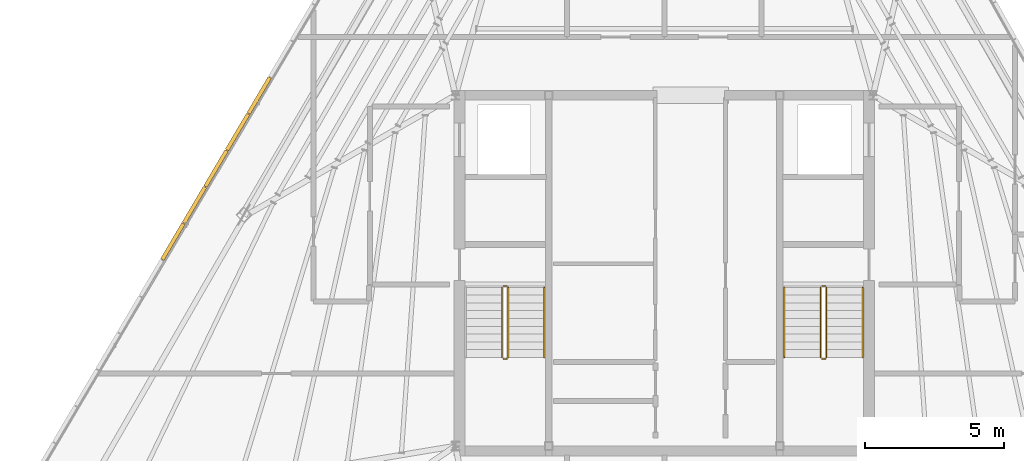
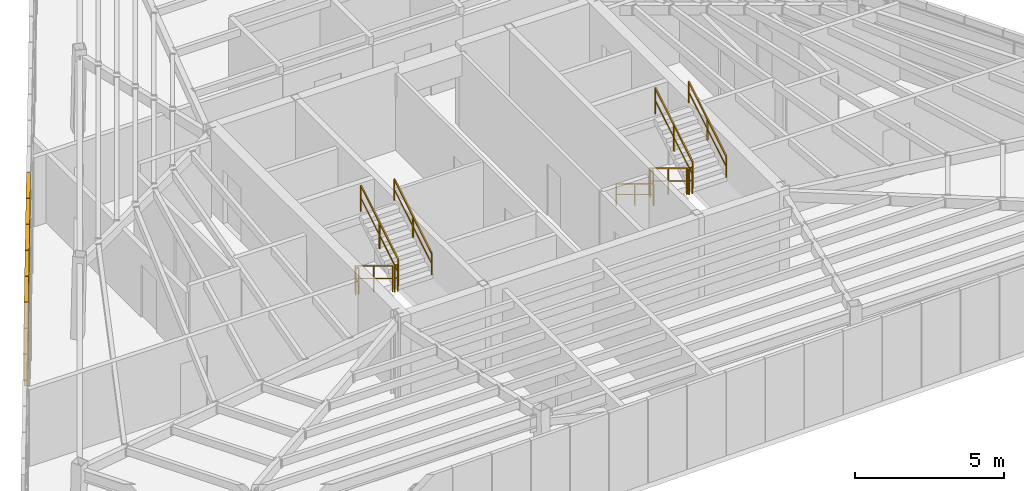
# One storey, part 46 of 47: 11 railings, 5 shading devices.
"""IFC4 building model written with IfcOpenShell, lengths in metres."""

from ifc_helpers import new_model, si_unit, direction, frame, origin, origin_2d, place, context, subcontext, project, spatial, rectangle, extrude, source, transform, mapped, material, layer, layer_set, type_object, type_shapes, element, save


model = new_model("IFC4")

# Units and contexts
model_context = context("Model", 3, precision=1e-05, world=origin(), true_north=direction((0.0, 1.0)))
body_context = subcontext(model_context, "Body", "Model", "MODEL_VIEW")
ifc_project = project(units=[si_unit("LENGTHUNIT", "METRE"), si_unit("AREAUNIT", "SQUARE_METRE"), si_unit("VOLUMEUNIT", "CUBIC_METRE"), si_unit("PLANEANGLEUNIT", "RADIAN"), si_unit("MASSUNIT", "GRAM", prefix="KILO")], contexts=[model_context])

# Site, building, storey
site_placement = place(None, origin())
site = spatial("IfcSite", under=ifc_project, at=site_placement, CompositionType="ELEMENT")
building_placement = place(site_placement, origin())
building = spatial("IfcBuilding", under=site, at=building_placement, Name="Caelisora Broadcast Tower", CompositionType="ELEMENT")
storey_placement = place(building_placement, frame((0.0, 0.0, 293.199951171875)))
storey = spatial("IfcBuildingStorey", under=building, at=storey_placement, Name="L77", CompositionType="ELEMENT", Elevation=293.199951171875)

# Railings
ifc_material_1 = material(Name="Galvanised Steel Safety Guardrail", Category="steel")
ifc_layer_1 = layer(ifc_material_1, 0.048095703125, Name="Galvanised Steel Safety Guardrail")
ifc_layer_set_1 = layer_set([ifc_layer_1], Name="Galvanised Steel Safety Guardrail")
railing_type_1 = type_object("IfcRailingType", Name="GR-1", PredefinedType="GUARDRAIL", material=ifc_layer_set_1)
railing_1_placement = place(storey_placement, frame((32.169921875, 23.10009765625, 0.170166015625)))
element("IfcRailing", 1, at=railing_1_placement, inside=storey, type_object=railing_type_1, Name="L77 ST-1 stair guard 1", PredefinedType="GUARDRAIL", context=body_context, shape_type="SweptSolid", body=[
    extrude(rectangle(XDim=0.048095703125, YDim=0.048095703125, at=origin_2d()), frame((0.0, 0.0, 1.076171875), z_axis=(0.0, -0.854821627497, 0.518921945155), x_axis=(1.0, 0.0, 0.0)), (0.0, 0.0, 1.0), 2.947998046875),
    extrude(rectangle(XDim=0.03125, YDim=0.03125, at=origin_2d()), frame((0.0, 0.0, 0.550048828125), z_axis=(0.0, -0.854821627497, 0.518921945155), x_axis=(1.0, 0.0, 0.0)), (0.0, 0.0, 1.0), 2.947998046875),
    extrude(rectangle(XDim=0.0419921875, YDim=0.0419921875, at=origin_2d()), origin(), (0.0, 0.0, 1.0), 1.052001953125),
    extrude(rectangle(XDim=0.0419921875, YDim=0.0419921875, at=origin_2d()), frame((0.0, -1.260009765625, 0.764892578125)), (0.0, 0.0, 1.0), 1.052001953125),
    extrude(rectangle(XDim=0.0419921875, YDim=0.0419921875, at=origin_2d()), frame((0.0, -2.52001953125, 1.52978515625)), (0.0, 0.0, 1.0), 1.052001953125),
])
railing_2_placement = place(storey_placement, frame((32.219970703125, 20.530029296875, 1.699951171875)))
element("IfcRailing", 2, at=railing_2_placement, inside=storey, type_object=railing_type_1, Name="L77 ST-1 stair guard 2", PredefinedType="GUARDRAIL", context=body_context, shape_type="SweptSolid", body=[
    extrude(rectangle(XDim=0.048095703125, YDim=0.048095703125, at=origin_2d()), frame((0.0, 0.0, 1.076171875), z_axis=(1.0, 0.0, 0.0), x_axis=(0.0, 1.0, 0.0)), (0.0, 0.0, 1.0), 0.1201171875),
    extrude(rectangle(XDim=0.03125, YDim=0.03125, at=origin_2d()), frame((0.0, 0.0, 0.550048828125), z_axis=(1.0, 0.0, 0.0), x_axis=(0.0, 1.0, 0.0)), (0.0, 0.0, 1.0), 0.1201171875),
    extrude(rectangle(XDim=0.0419921875, YDim=0.0419921875, at=origin_2d()), origin(), (0.0, 0.0, 1.0), 1.052001953125),
    extrude(rectangle(XDim=0.0419921875, YDim=0.0419921875, at=origin_2d()), frame((0.1201171875, 0.0, 0.0)), (0.0, 0.0, 1.0), 1.052001953125),
])
railing_3_placement = place(storey_placement, frame((32.389892578125, 20.580078125, 1.8701171875)))
element("IfcRailing", 3, at=railing_3_placement, inside=storey, type_object=railing_type_1, Name="L77 ST-1 stair guard 3", PredefinedType="GUARDRAIL", context=body_context, shape_type="SweptSolid", body=[
    extrude(rectangle(XDim=0.048095703125, YDim=0.048095703125, at=origin_2d()), frame((0.0, 0.0, 1.076171875), z_axis=(0.0, 0.85478489116, 0.518982456201), x_axis=(-1.0, 0.0, 0.0)), (0.0, 0.0, 1.0), 2.9482421875),
    extrude(rectangle(XDim=0.03125, YDim=0.03125, at=origin_2d()), frame((0.0, 0.0, 0.550048828125), z_axis=(0.0, 0.85478489116, 0.518982456201), x_axis=(-1.0, 0.0, 0.0)), (0.0, 0.0, 1.0), 2.9482421875),
    extrude(rectangle(XDim=0.0419921875, YDim=0.0419921875, at=origin_2d()), origin(), (0.0, 0.0, 1.0), 1.052001953125),
    extrude(rectangle(XDim=0.0419921875, YDim=0.0419921875, at=origin_2d()), frame((0.0, 1.260009765625, 0.76513671875)), (0.0, 0.0, 1.0), 1.052001953125),
    extrude(rectangle(XDim=0.0419921875, YDim=0.0419921875, at=origin_2d()), frame((0.0, 2.52001953125, 1.530029296875)), (0.0, 0.0, 1.0), 1.052001953125),
])
railing_4_placement = place(storey_placement, frame((32.219970703125, 23.14990234375, 0.0)))
element("IfcRailing", 4, at=railing_4_placement, inside=storey, type_object=railing_type_1, Name="L77 ST-1 stair guard 4", PredefinedType="GUARDRAIL", context=body_context, shape_type="SweptSolid", body=[
    extrude(rectangle(XDim=0.048095703125, YDim=0.048095703125, at=origin_2d()), frame((0.0, 0.0, 1.076171875), z_axis=(1.0, 0.0, 0.0), x_axis=(0.0, 1.0, 0.0)), (0.0, 0.0, 1.0), 0.1201171875),
    extrude(rectangle(XDim=0.03125, YDim=0.03125, at=origin_2d()), frame((0.0, 0.0, 0.550048828125), z_axis=(1.0, 0.0, 0.0), x_axis=(0.0, 1.0, 0.0)), (0.0, 0.0, 1.0), 0.1201171875),
    extrude(rectangle(XDim=0.0419921875, YDim=0.0419921875, at=origin_2d()), origin(), (0.0, 0.0, 1.0), 1.052001953125),
    extrude(rectangle(XDim=0.0419921875, YDim=0.0419921875, at=origin_2d()), frame((0.1201171875, 0.0, 0.0)), (0.0, 0.0, 1.0), 1.052001953125),
])
railing_5_placement = place(storey_placement, frame((43.610107421875, 23.10009765625, 0.170166015625)))
element("IfcRailing", 5, at=railing_5_placement, inside=storey, type_object=railing_type_1, Name="L77 ST-2 stair guard 1", PredefinedType="GUARDRAIL", context=body_context, shape_type="SweptSolid", body=[
    extrude(rectangle(XDim=0.048095703125, YDim=0.048095703125, at=origin_2d()), frame((0.0, 0.0, 1.076171875), z_axis=(0.0, -0.854821627497, 0.518921945155), x_axis=(1.0, 0.0, 0.0)), (0.0, 0.0, 1.0), 2.947998046875),
    extrude(rectangle(XDim=0.03125, YDim=0.03125, at=origin_2d()), frame((0.0, 0.0, 0.550048828125), z_axis=(0.0, -0.854821627497, 0.518921945155), x_axis=(1.0, 0.0, 0.0)), (0.0, 0.0, 1.0), 2.947998046875),
    extrude(rectangle(XDim=0.0419921875, YDim=0.0419921875, at=origin_2d()), origin(), (0.0, 0.0, 1.0), 1.052001953125),
    extrude(rectangle(XDim=0.0419921875, YDim=0.0419921875, at=origin_2d()), frame((0.0, -1.260009765625, 0.764892578125)), (0.0, 0.0, 1.0), 1.052001953125),
    extrude(rectangle(XDim=0.0419921875, YDim=0.0419921875, at=origin_2d()), frame((0.0, -2.52001953125, 1.52978515625)), (0.0, 0.0, 1.0), 1.052001953125),
])
railing_6_placement = place(storey_placement, frame((43.659912109375, 20.530029296875, 1.699951171875)))
element("IfcRailing", 6, at=railing_6_placement, inside=storey, type_object=railing_type_1, Name="L77 ST-2 stair guard 2", PredefinedType="GUARDRAIL", context=body_context, shape_type="SweptSolid", body=[
    extrude(rectangle(XDim=0.048095703125, YDim=0.048095703125, at=origin_2d()), frame((0.0, 0.0, 1.076171875), z_axis=(1.0, 0.0, 0.0), x_axis=(0.0, 1.0, 0.0)), (0.0, 0.0, 1.0), 0.1201171875),
    extrude(rectangle(XDim=0.03125, YDim=0.03125, at=origin_2d()), frame((0.0, 0.0, 0.550048828125), z_axis=(1.0, 0.0, 0.0), x_axis=(0.0, 1.0, 0.0)), (0.0, 0.0, 1.0), 0.1201171875),
    extrude(rectangle(XDim=0.0419921875, YDim=0.0419921875, at=origin_2d()), origin(), (0.0, 0.0, 1.0), 1.052001953125),
    extrude(rectangle(XDim=0.0419921875, YDim=0.0419921875, at=origin_2d()), frame((0.1201171875, 0.0, 0.0)), (0.0, 0.0, 1.0), 1.052001953125),
])
railing_7_placement = place(storey_placement, frame((43.830078125, 20.580078125, 1.8701171875)))
element("IfcRailing", 7, at=railing_7_placement, inside=storey, type_object=railing_type_1, Name="L77 ST-2 stair guard 3", PredefinedType="GUARDRAIL", context=body_context, shape_type="SweptSolid", body=[
    extrude(rectangle(XDim=0.048095703125, YDim=0.048095703125, at=origin_2d()), frame((0.0, 0.0, 1.076171875), z_axis=(0.0, 0.85478489116, 0.518982456201), x_axis=(-1.0, 0.0, 0.0)), (0.0, 0.0, 1.0), 2.9482421875),
    extrude(rectangle(XDim=0.03125, YDim=0.03125, at=origin_2d()), frame((0.0, 0.0, 0.550048828125), z_axis=(0.0, 0.85478489116, 0.518982456201), x_axis=(-1.0, 0.0, 0.0)), (0.0, 0.0, 1.0), 2.9482421875),
    extrude(rectangle(XDim=0.0419921875, YDim=0.0419921875, at=origin_2d()), origin(), (0.0, 0.0, 1.0), 1.052001953125),
    extrude(rectangle(XDim=0.0419921875, YDim=0.0419921875, at=origin_2d()), frame((0.0, 1.260009765625, 0.76513671875)), (0.0, 0.0, 1.0), 1.052001953125),
    extrude(rectangle(XDim=0.0419921875, YDim=0.0419921875, at=origin_2d()), frame((0.0, 2.52001953125, 1.530029296875)), (0.0, 0.0, 1.0), 1.052001953125),
])
railing_8_placement = place(storey_placement, frame((43.659912109375, 23.14990234375, 0.0)))
element("IfcRailing", 8, at=railing_8_placement, inside=storey, type_object=railing_type_1, Name="L77 ST-2 stair guard 4", PredefinedType="GUARDRAIL", context=body_context, shape_type="SweptSolid", body=[
    extrude(rectangle(XDim=0.048095703125, YDim=0.048095703125, at=origin_2d()), frame((0.0, 0.0, 1.076171875), z_axis=(1.0, 0.0, 0.0), x_axis=(0.0, 1.0, 0.0)), (0.0, 0.0, 1.0), 0.1201171875),
    extrude(rectangle(XDim=0.03125, YDim=0.03125, at=origin_2d()), frame((0.0, 0.0, 0.550048828125), z_axis=(1.0, 0.0, 0.0), x_axis=(0.0, 1.0, 0.0)), (0.0, 0.0, 1.0), 0.1201171875),
    extrude(rectangle(XDim=0.0419921875, YDim=0.0419921875, at=origin_2d()), origin(), (0.0, 0.0, 1.0), 1.052001953125),
    extrude(rectangle(XDim=0.0419921875, YDim=0.0419921875, at=origin_2d()), frame((0.1201171875, 0.0, 0.0)), (0.0, 0.0, 1.0), 1.052001953125),
])
ifc_material_2 = material(Name="Stainless Steel Grade 316 Tubular Handrail", Category="steel")
ifc_layer_2 = layer(ifc_material_2, 0.048095703125, Name="Stainless Steel Grade 316 Tubular Handrail")
ifc_layer_set_2 = layer_set([ifc_layer_2], Name="Stainless Steel Grade 316 Tubular Handrail")
railing_type_2 = type_object("IfcRailingType", Name="HR-1", PredefinedType="HANDRAIL", material=ifc_layer_set_2)
railing_9_placement = place(storey_placement, frame((33.68994140625, 20.580078125, 1.8701171875)))
element("IfcRailing", 9, at=railing_9_placement, inside=storey, type_object=railing_type_2, Name="L77 ST-1 stair handrail 2", PredefinedType="HANDRAIL", context=body_context, shape_type="SweptSolid", body=[
    extrude(rectangle(XDim=0.048095703125, YDim=0.048095703125, at=origin_2d()), frame((0.0, 0.0, 0.8759765625), z_axis=(0.0, 0.85478489116, 0.518982456201), x_axis=(-1.0, 0.0, 0.0)), (0.0, 0.0, 1.0), 2.9482421875),
    extrude(rectangle(XDim=0.03125, YDim=0.03125, at=origin_2d()), frame((0.0, 0.0, 0.449951171875), z_axis=(0.0, 0.85478489116, 0.518982456201), x_axis=(-1.0, 0.0, 0.0)), (0.0, 0.0, 1.0), 2.9482421875),
    extrude(rectangle(XDim=0.0419921875, YDim=0.0419921875, at=origin_2d()), origin(), (0.0, 0.0, 1.0), 0.851806640625),
    extrude(rectangle(XDim=0.0419921875, YDim=0.0419921875, at=origin_2d()), frame((0.0, 1.260009765625, 0.76513671875)), (0.0, 0.0, 1.0), 0.851806640625),
    extrude(rectangle(XDim=0.0419921875, YDim=0.0419921875, at=origin_2d()), frame((0.0, 2.52001953125, 1.530029296875)), (0.0, 0.0, 1.0), 0.851806640625),
])
railing_10_placement = place(storey_placement, frame((42.31005859375, 23.10009765625, 0.170166015625)))
element("IfcRailing", 10, at=railing_10_placement, inside=storey, type_object=railing_type_2, Name="L77 ST-2 stair handrail 1", PredefinedType="HANDRAIL", context=body_context, shape_type="SweptSolid", body=[
    extrude(rectangle(XDim=0.048095703125, YDim=0.048095703125, at=origin_2d()), frame((0.0, 0.0, 0.8759765625), z_axis=(0.0, -0.854821627497, 0.518921945155), x_axis=(1.0, 0.0, 0.0)), (0.0, 0.0, 1.0), 2.947998046875),
    extrude(rectangle(XDim=0.03125, YDim=0.03125, at=origin_2d()), frame((0.0, 0.0, 0.449951171875), z_axis=(0.0, -0.854821627497, 0.518921945155), x_axis=(1.0, 0.0, 0.0)), (0.0, 0.0, 1.0), 2.947998046875),
    extrude(rectangle(XDim=0.0419921875, YDim=0.0419921875, at=origin_2d()), origin(), (0.0, 0.0, 1.0), 0.851806640625),
    extrude(rectangle(XDim=0.0419921875, YDim=0.0419921875, at=origin_2d()), frame((0.0, -1.260009765625, 0.764892578125)), (0.0, 0.0, 1.0), 0.851806640625),
    extrude(rectangle(XDim=0.0419921875, YDim=0.0419921875, at=origin_2d()), frame((0.0, -2.52001953125, 1.52978515625)), (0.0, 0.0, 1.0), 0.851806640625),
])
railing_11_placement = place(storey_placement, frame((45.1298828125, 20.580078125, 1.8701171875)))
element("IfcRailing", 11, at=railing_11_placement, inside=storey, type_object=railing_type_2, Name="L77 ST-2 stair handrail 2", PredefinedType="HANDRAIL", context=body_context, shape_type="SweptSolid", body=[
    extrude(rectangle(XDim=0.048095703125, YDim=0.048095703125, at=origin_2d()), frame((0.0, 0.0, 0.8759765625), z_axis=(0.0, 0.85478489116, 0.518982456201), x_axis=(-1.0, 0.0, 0.0)), (0.0, 0.0, 1.0), 2.9482421875),
    extrude(rectangle(XDim=0.03125, YDim=0.03125, at=origin_2d()), frame((0.0, 0.0, 0.449951171875), z_axis=(0.0, 0.85478489116, 0.518982456201), x_axis=(-1.0, 0.0, 0.0)), (0.0, 0.0, 1.0), 2.9482421875),
    extrude(rectangle(XDim=0.0419921875, YDim=0.0419921875, at=origin_2d()), origin(), (0.0, 0.0, 1.0), 0.851806640625),
    extrude(rectangle(XDim=0.0419921875, YDim=0.0419921875, at=origin_2d()), frame((0.0, 1.260009765625, 0.76513671875)), (0.0, 0.0, 1.0), 0.851806640625),
    extrude(rectangle(XDim=0.0419921875, YDim=0.0419921875, at=origin_2d()), frame((0.0, 2.52001953125, 1.530029296875)), (0.0, 0.0, 1.0), 0.851806640625),
])

# Shading devices
ifc_material_3 = material(Name="Anodised Terracotta Aluminium Acoustic Louvre", Category="aluminium")
ifc_layer_3 = layer(ifc_material_3, 0.139892578125, Name="Anodised Terracotta Aluminium Acoustic Louvre")
ifc_layer_set_3 = layer_set([ifc_layer_3], Name="Anodised Terracotta Aluminium Acoustic Louvre")
shading_device_type = type_object("IfcShadingDeviceType", Name="LV-1", PredefinedType="JALOUSIE", material=ifc_layer_set_3)
shared_shape = source(origin(), body_context, "Body", "SweptSolid", [
    extrude(rectangle(XDim=1.494384765625, YDim=0.139892578125, at=origin_2d()), origin(), (0.0, 0.0, 1.0), 3.43994140625),
])
type_shapes(shading_device_type, [shared_shape])
for number, where, z_axis, x_axis, name in (
    (12, (23.447021484375, 29.992431640625, -0.02001953125), (0.0, 0.0, 1.0), (-0.508740929096, -0.860919663536, 0.0), "L77 crown acoustic louvre #020"),
    (13, (22.67138671875, 28.68017578125, -0.02001953125), (0.0, 0.0, 1.0), (-0.508740929096, -0.860919663536, 0.0), "L77 crown acoustic louvre #021"),
    (14, (21.895751953125, 27.36767578125, -0.02001953125), (0.0, 0.0, 1.0), (-0.508740929096, -0.860919663536, 0.0), "L77 crown acoustic louvre #022"),
    (15, (21.1201171875, 26.05517578125, -0.02001953125), (0.0, 0.0, 1.0), (-0.508740929096, -0.860919663536, 0.0), "L77 crown acoustic louvre #023"),
    (16, (20.344482421875, 24.742919921875, -0.02001953125), (0.0, 0.0, 1.0), (-0.508740929096, -0.860919663536, 0.0), "L77 crown acoustic louvre #024"),
):
    element("IfcShadingDevice", number, at=place(storey_placement, frame(where, z_axis=z_axis, x_axis=x_axis)), inside=storey, type_object=shading_device_type, Name=name, PredefinedType="JALOUSIE", context=body_context, shape_type="MappedRepresentation", body=[
        mapped(shared_shape, transform((0.0, 0.0, 0.0), scale=1.0)),
    ])

save(model, "model.ifc")
